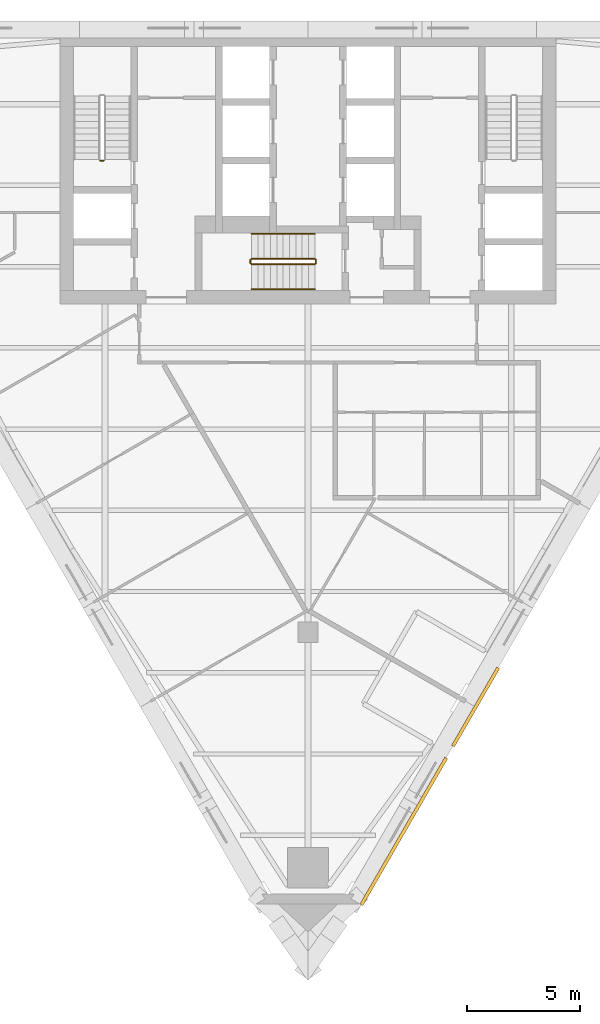
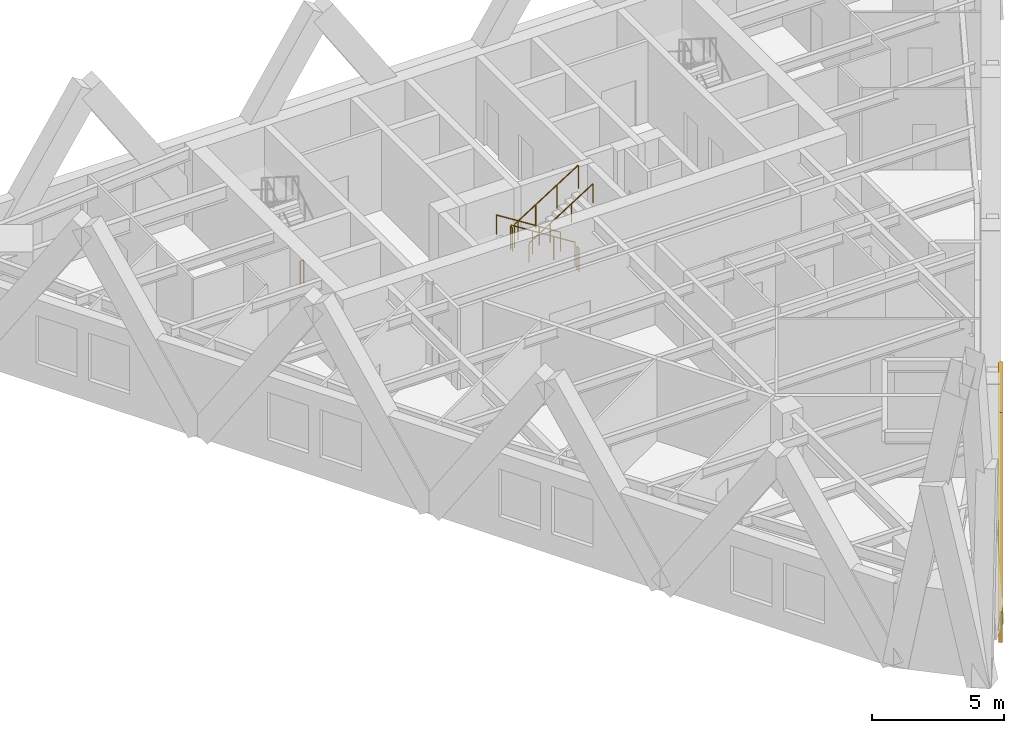
# One storey, part 7 of 8: 7 railings, 2 coverings.
"""IFC4 building model written with IfcOpenShell, lengths in metres."""

from ifc_helpers import new_model, si_unit, direction, frame, origin, origin_2d, place, context, subcontext, project, spatial, polyline, circle, outline, extrude, material, layer, layer_set, type_object, element, save


model = new_model("IFC4")

# Units and contexts
model_context = context("Model", 3, precision=1e-05, world=origin(), true_north=direction((0.0, 1.0)))
body_context = subcontext(model_context, "Body", "Model", "MODEL_VIEW")
ifc_project = project(units=[si_unit("LENGTHUNIT", "METRE"), si_unit("AREAUNIT", "SQUARE_METRE"), si_unit("VOLUMEUNIT", "CUBIC_METRE"), si_unit("PLANEANGLEUNIT", "RADIAN"), si_unit("MASSUNIT", "GRAM", prefix="KILO")], contexts=[model_context])

# Site, building, storey
site_placement = place(None, origin())
site = spatial("IfcSite", under=ifc_project, at=site_placement, CompositionType="ELEMENT")
building_placement = place(site_placement, origin())
building = spatial("IfcBuilding", under=site, at=building_placement, Name="Aloe Facet Convention Tower", CompositionType="ELEMENT")
storey_placement = place(building_placement, frame((0.0, 0.0, 159.800048828125)))
storey = spatial("IfcBuildingStorey", under=building, at=storey_placement, Name="L40", CompositionType="ELEMENT", Elevation=159.800048828125)

# Railings
ifc_material_1 = material(Name="Steel S355 balustrade", Category="steel")
railing_type_1 = type_object("IfcRailingType", Name="CR-RL-GUARD", PredefinedType="GUARDRAIL", material=ifc_material_1)
railing_1_placement = place(storey_placement, frame((70.949951171875, 128.89990234375, 0.0)))
element("IfcRailing", 1, at=railing_1_placement, inside=storey, type_object=railing_type_1, Name="L40 ST1 stair guard 4", PredefinedType="GUARDRAIL", context=body_context, shape_type="SweptSolid", body=[
    extrude(circle(Radius=0.02392578125, at=origin_2d()), frame((0.0, 0.0, 1.076171875), z_axis=(-1.0, 0.0, 0.0), x_axis=(0.0, -1.0, 0.0)), (0.0, 0.0, 1.0), 0.14990234375),
    extrude(circle(Radius=0.02099609375, at=origin_2d()), origin(), (0.0, 0.0, 1.0), 1.052001953125),
    extrude(circle(Radius=0.02099609375, at=origin_2d()), frame((-0.14990234375, 0.0, 0.0)), (0.0, 0.0, 1.0), 1.052001953125),
])
railing_2_placement = place(storey_placement, frame((80.300048828125, 124.550048828125, 0.17724609375)))
element("IfcRailing", 2, at=railing_2_placement, inside=storey, type_object=railing_type_1, Name="L40 ST3 stair guard 1", PredefinedType="GUARDRAIL", context=body_context, shape_type="SweptSolid", body=[
    extrude(circle(Radius=0.02392578125, at=origin_2d()), frame((0.0, 0.0, 1.076171875), z_axis=(-0.844908973607, 0.0, 0.534910110503), x_axis=(0.0, -1.0, 0.0)), (0.0, 0.0, 1.0), 3.31396484375),
    extrude(circle(Radius=0.02099609375, at=origin_2d()), origin(), (0.0, 0.0, 1.0), 1.052001953125),
    extrude(circle(Radius=0.02099609375, at=origin_2d()), frame((-0.933349609375, 0.0, 0.5908203125)), (0.0, 0.0, 1.0), 1.052001953125),
    extrude(circle(Radius=0.02099609375, at=origin_2d()), frame((-1.86669921875, 0.0, 1.181884765625)), (0.0, 0.0, 1.0), 1.052001953125),
    extrude(circle(Radius=0.02099609375, at=origin_2d()), frame((-2.800048828125, 0.0, 1.772705078125)), (0.0, 0.0, 1.0), 1.052001953125),
])
railing_3_placement = place(storey_placement, frame((77.449951171875, 124.5, 1.949951171875)))
element("IfcRailing", 3, at=railing_3_placement, inside=storey, type_object=railing_type_1, Name="L40 ST3 stair guard 2", PredefinedType="GUARDRAIL", context=body_context, shape_type="SweptSolid", body=[
    extrude(circle(Radius=0.02392578125, at=origin_2d()), frame((0.0, 0.0, 1.076171875), z_axis=(0.0, -1.0, 0.0), x_axis=(1.0, 0.0, 0.0)), (0.0, 0.0, 1.0), 0.14990234375),
    extrude(circle(Radius=0.02099609375, at=origin_2d()), origin(), (0.0, 0.0, 1.0), 1.052001953125),
    extrude(circle(Radius=0.02099609375, at=origin_2d()), frame((0.0, -0.14990234375, 0.0)), (0.0, 0.0, 1.0), 1.052001953125),
])
railing_4_placement = place(storey_placement, frame((77.5, 124.300048828125, 2.127197265625)))
element("IfcRailing", 4, at=railing_4_placement, inside=storey, type_object=railing_type_1, Name="L40 ST3 stair guard 3", PredefinedType="GUARDRAIL", context=body_context, shape_type="SweptSolid", body=[
    extrude(circle(Radius=0.02392578125, at=origin_2d()), frame((0.0, 0.0, 1.076171875), z_axis=(0.844908973607, 0.0, 0.534910110503), x_axis=(0.0, 1.0, 0.0)), (0.0, 0.0, 1.0), 3.31396484375),
    extrude(circle(Radius=0.02099609375, at=origin_2d()), origin(), (0.0, 0.0, 1.0), 1.052001953125),
    extrude(circle(Radius=0.02099609375, at=origin_2d()), frame((0.933349609375, 0.0, 0.5908203125)), (0.0, 0.0, 1.0), 1.052001953125),
    extrude(circle(Radius=0.02099609375, at=origin_2d()), frame((1.86669921875, 0.0, 1.181884765625)), (0.0, 0.0, 1.0), 1.052001953125),
    extrude(circle(Radius=0.02099609375, at=origin_2d()), frame((2.800048828125, 0.0, 1.772705078125)), (0.0, 0.0, 1.0), 1.052001953125),
])
railing_5_placement = place(storey_placement, frame((80.35009765625, 124.5, 0.0)))
element("IfcRailing", 5, at=railing_5_placement, inside=storey, type_object=railing_type_1, Name="L40 ST3 stair guard 4", PredefinedType="GUARDRAIL", context=body_context, shape_type="SweptSolid", body=[
    extrude(circle(Radius=0.02392578125, at=origin_2d()), frame((0.0, 0.0, 1.076171875), z_axis=(0.0, -1.0, 0.0), x_axis=(1.0, 0.0, 0.0)), (0.0, 0.0, 1.0), 0.14990234375),
    extrude(circle(Radius=0.02099609375, at=origin_2d()), origin(), (0.0, 0.0, 1.0), 1.052001953125),
    extrude(circle(Radius=0.02099609375, at=origin_2d()), frame((0.0, -0.14990234375, 0.0)), (0.0, 0.0, 1.0), 1.052001953125),
])
ifc_material_2 = material(Name="Steel S355 handrail", Category="steel")
railing_type_2 = type_object("IfcRailingType", Name="CR-RL-HAND", PredefinedType="HANDRAIL", material=ifc_material_2)
railing_6_placement = place(storey_placement, frame((80.300048828125, 125.64990234375, 0.17724609375)))
element("IfcRailing", 6, at=railing_6_placement, inside=storey, type_object=railing_type_2, Name="L40 ST3 stair handrail 1", PredefinedType="HANDRAIL", context=body_context, shape_type="SweptSolid", body=[
    extrude(circle(Radius=0.02392578125, at=origin_2d()), frame((0.0, 0.0, 0.8759765625), z_axis=(-0.844908973607, 0.0, 0.534910110503), x_axis=(0.0, -1.0, 0.0)), (0.0, 0.0, 1.0), 3.31396484375),
    extrude(circle(Radius=0.02099609375, at=origin_2d()), origin(), (0.0, 0.0, 1.0), 0.851806640625),
    extrude(circle(Radius=0.02099609375, at=origin_2d()), frame((-0.933349609375, 0.0, 0.5908203125)), (0.0, 0.0, 1.0), 0.851806640625),
    extrude(circle(Radius=0.02099609375, at=origin_2d()), frame((-1.86669921875, 0.0, 1.181884765625)), (0.0, 0.0, 1.0), 0.851806640625),
    extrude(circle(Radius=0.02099609375, at=origin_2d()), frame((-2.800048828125, 0.0, 1.772705078125)), (0.0, 0.0, 1.0), 0.851806640625),
])
railing_7_placement = place(storey_placement, frame((77.5, 123.199951171875, 2.127197265625)))
element("IfcRailing", 7, at=railing_7_placement, inside=storey, type_object=railing_type_2, Name="L40 ST3 stair handrail 2", PredefinedType="HANDRAIL", context=body_context, shape_type="SweptSolid", body=[
    extrude(circle(Radius=0.02392578125, at=origin_2d()), frame((0.0, 0.0, 0.8759765625), z_axis=(0.844908973607, 0.0, 0.534910110503), x_axis=(0.0, 1.0, 0.0)), (0.0, 0.0, 1.0), 3.31396484375),
    extrude(circle(Radius=0.02099609375, at=origin_2d()), origin(), (0.0, 0.0, 1.0), 0.851806640625),
    extrude(circle(Radius=0.02099609375, at=origin_2d()), frame((0.933349609375, 0.0, 0.5908203125)), (0.0, 0.0, 1.0), 0.851806640625),
    extrude(circle(Radius=0.02099609375, at=origin_2d()), frame((1.86669921875, 0.0, 1.181884765625)), (0.0, 0.0, 1.0), 0.851806640625),
    extrude(circle(Radius=0.02099609375, at=origin_2d()), frame((2.800048828125, 0.0, 1.772705078125)), (0.0, 0.0, 1.0), 0.851806640625),
])

# Coverings
ifc_material_3 = material(Name="Bronze oxide fascia sheet")
ifc_layer = layer(ifc_material_3, 0.14990234375)
ifc_layer_set = layer_set([ifc_layer], Name="EV-FASCIA-TERR")
covering_type = type_object("IfcCoveringType", Name="EV-FASCIA-TERR", PredefinedType="CLADDING", material=ifc_layer_set)
covering_1_placement = place(storey_placement, frame((0.0, 0.0, 3.349853515625)))
element("IfcCovering", 8, at=covering_1_placement, inside=storey, type_object=covering_type, Name="Terrace fascia T09 sill", PredefinedType="CLADDING", context=body_context, shape_type="SweptSolid", body=[
    extrude(outline(polyline([(86.49072265625, 102.91259765625), (88.49072265625, 106.376708984375), (88.36083984375, 106.451904296875), (86.36083984375, 102.98779296875), (86.49072265625, 102.91259765625)])), origin(), (0.0, 0.0, 1.0), 0.550048828125),
])
covering_2_placement = place(storey_placement, frame((82.429931640625, 95.879150390625, -0.59228515625), z_axis=(0.866029374751, -0.499993122022, 0.0), x_axis=(0.442854985365, 0.767061403825, 0.464215752317)))
element("IfcCovering", 9, at=covering_2_placement, inside=storey, type_object=covering_type, Name="Spiral ribbon zone 3 part 9", PredefinedType="CLADDING", context=body_context, shape_type="SweptSolid", body=[
    extrude(outline(polyline([(0.0, 0.0), (8.492039859053335, -4.440892098500626e-16), (9.142009912651247, 1.240140761016102), (0.6499700535979136, 1.2401407610161024), (0.0, 0.0)])), origin(), (0.0, 0.0, -1.0), 0.14990234375),
])

save(model, "model.ifc")
